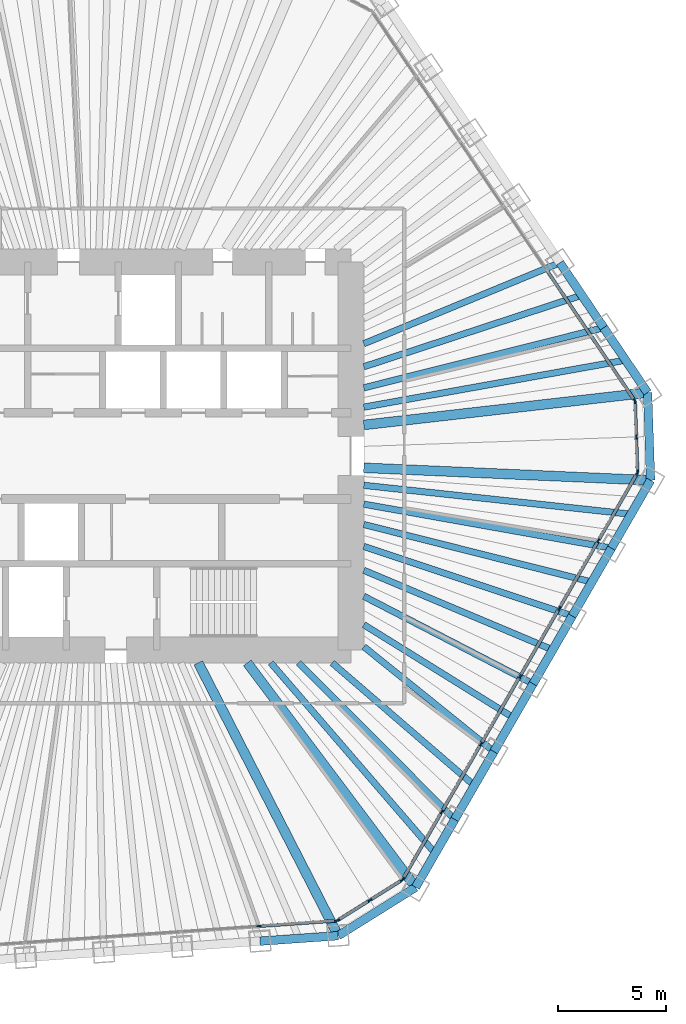
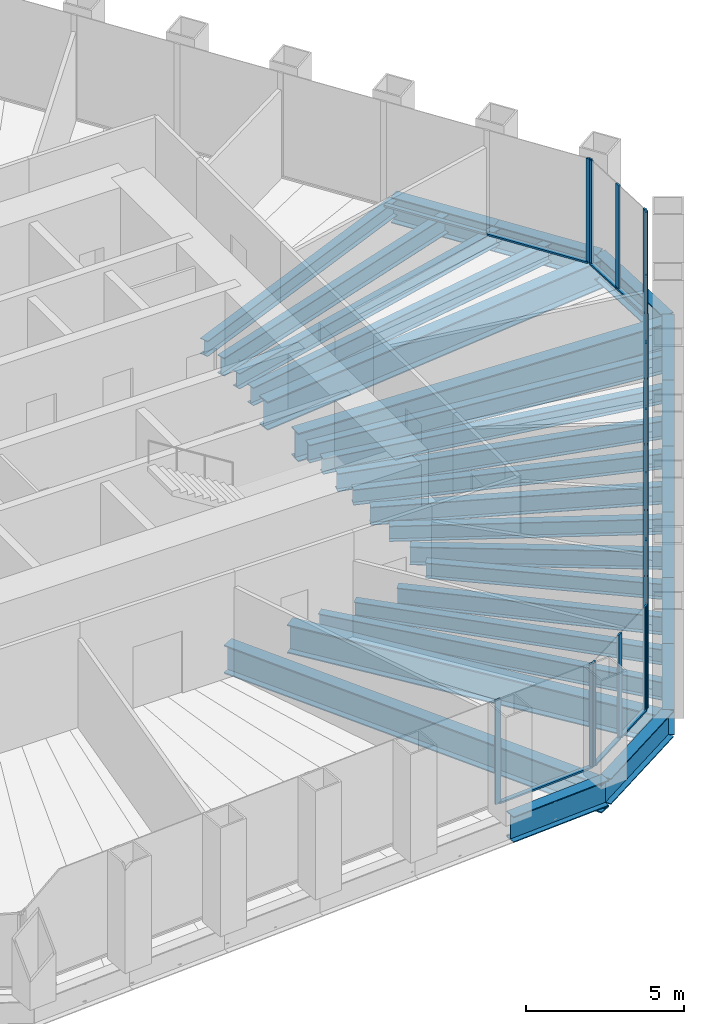
# One storey, part 4 of 14: 30 beams, 29 members, 5 elements without a shape of their own.
"""IFC4 building model written with IfcOpenShell, lengths in metres."""

import ifcopenshell
import ifcopenshell.guid

model = None  # the IFC model being written
_history = None  # IfcOwnerHistory: only IFC2X3 demands one
_inside = {}  # id of a spatial element -> (the spatial element, [elements in it])
_under = {}  # id of a project, library or spatial element -> (it, [spatial elements below it])
_declared = {}  # id of a project -> (the project, [libraries it declares])
_typed = {}  # id of a type object -> (the type object, [elements of that type])
_made_of = {}  # id of a material, layer set ... -> (it, [elements and type objects made of it])


def new_model(schema):
    """Start an empty IFC model of exactly this schema.

    Asked for "IFC4X3", IfcOpenShell would pick the latest addendum, in which some entities
    have other attributes; the version numbers below select the first issue.
    IFC2X3 requires an IfcOwnerHistory on every rooted entity: one is made here for all.
    """
    global model, _history
    if schema == "IFC4X3":
        model = ifcopenshell.file(schema_version=(4, 3, 0, 0))
    else:
        model = ifcopenshell.file(schema=schema)
    _inside.clear()
    _under.clear()
    _declared.clear()
    _typed.clear()
    _made_of.clear()
    _history = None
    if model.schema == "IFC2X3":
        org = make("IfcOrganization", Name="unknown")
        user = make(
            "IfcPersonAndOrganization",
            ThePerson=make("IfcPerson", FamilyName="unknown"),
            TheOrganization=org,
        )
        app = make(
            "IfcApplication",
            ApplicationDeveloper=org,
            Version="unknown",
            ApplicationFullName="unknown",
            ApplicationIdentifier="unknown",
        )
        _history = make(
            "IfcOwnerHistory",
            OwningUser=user,
            OwningApplication=app,
            ChangeAction="ADDED",
            CreationDate=0,
        )
    return model


def make(cls, **values):
    """One entity of the class cls with the attributes given. An attribute that is None is left unset."""
    return model.create_entity(
        cls, **{name: value for name, value in values.items() if value is not None}
    )


def rooted(cls, **values):
    """An entity with a GlobalId (a new one), such as an element, a storey or a relation."""
    return make(cls, GlobalId=ifcopenshell.guid.new(), OwnerHistory=_history, **values)


def si_unit(unit_type, name, prefix=None):
    """IfcSIUnit, for example si_unit("LENGTHUNIT", "METRE", prefix="MILLI")."""
    return make("IfcSIUnit", UnitType=unit_type, Prefix=prefix, Name=name)


def assignment(units):
    """IfcUnitAssignment: the units of a project."""
    return None if units is None else make("IfcUnitAssignment", Units=units)


def point(xyz):
    """IfcCartesianPoint."""
    return None if xyz is None else make("IfcCartesianPoint", Coordinates=xyz)


def direction(xyz):
    """IfcDirection."""
    return None if xyz is None else make("IfcDirection", DirectionRatios=xyz)


def frame(location, z_axis=None, x_axis=None):
    """IfcAxis2Placement3D, a coordinate frame: its origin and axes. An axis left out is left unset."""
    return make(
        "IfcAxis2Placement3D",
        Location=point(location),
        Axis=direction(z_axis),
        RefDirection=direction(x_axis),
    )


def frame_2d(location, x_axis=None):
    """IfcAxis2Placement2D, a coordinate frame in the plane: its origin and x axis."""
    return make(
        "IfcAxis2Placement2D", Location=point(location), RefDirection=direction(x_axis)
    )


def origin():
    """The frame at (0, 0, 0) with its axes left unset."""
    return frame((0.0, 0.0, 0.0))


def origin_2d():
    """The frame at (0, 0) in the plane with its x axis left unset."""
    return frame_2d((0.0, 0.0))


def place(relative_to, where):
    """IfcLocalPlacement: puts the frame where relative to a parent placement (None: the world)."""
    return make(
        "IfcLocalPlacement", PlacementRelTo=relative_to, RelativePlacement=where
    )


def context(
    kind, dimensions, precision=None, world=None, true_north=None, identifier=None
):
    """IfcGeometricRepresentationContext, for example the 3D "Model" context."""
    return make(
        "IfcGeometricRepresentationContext",
        ContextIdentifier=identifier,
        ContextType=kind,
        CoordinateSpaceDimension=dimensions,
        Precision=precision,
        WorldCoordinateSystem=world,
        TrueNorth=true_north,
    )


def subcontext(parent, identifier, kind, view, scale=None):
    """IfcGeometricRepresentationSubContext, for example "Body" below "Model"."""
    return make(
        "IfcGeometricRepresentationSubContext",
        ContextIdentifier=identifier,
        ContextType=kind,
        ParentContext=parent,
        TargetScale=scale,
        TargetView=view,
    )


def project(units=None, contexts=None):
    """IfcProject with its units and contexts."""
    return rooted(
        "IfcProject",
        Name="project",
        RepresentationContexts=contexts,
        UnitsInContext=assignment(units),
    )


def spatial(cls, under=None, at=None, **own):
    """A site, building, storey or space (cls), placed at a placement, below another one or the project."""
    s = rooted(cls, ObjectPlacement=at, **own)
    if under is not None:
        _under.setdefault(under.id(), (under, []))[1].append(s)
    return s


def profile(cls, at=None, kind="AREA", **sizes):
    """A parametric profile (cls). Its sizes go by their IFC names, for example OverallWidth=200.0."""
    return make(cls, ProfileType=kind, Position=at, **sizes)


def rectangle(**sizes):
    """IfcRectangleProfileDef."""
    return profile("IfcRectangleProfileDef", **sizes)


def i_section(**sizes):
    """IfcIShapeProfileDef."""
    return profile("IfcIShapeProfileDef", **sizes)


def extrude(swept, where, along, depth):
    """IfcExtrudedAreaSolid: the profile swept, set in the frame where, extruded along a direction by depth."""
    return make(
        "IfcExtrudedAreaSolid",
        SweptArea=swept,
        Position=where,
        ExtrudedDirection=direction(along),
        Depth=depth,
    )


def shape(context_of_items, identifier, shape_type, items):
    """IfcShapeRepresentation: the items that make up one representation, for example the "Body"."""
    return make(
        "IfcShapeRepresentation",
        ContextOfItems=context_of_items,
        RepresentationIdentifier=identifier,
        RepresentationType=shape_type,
        Items=items,
    )


def material(Name=None, Category=None):
    """IfcMaterial."""
    return make("IfcMaterial", Name=Name, Category=Category)


def material_profile(
    of_material, cross_section, Name=None, Category=None, Priority=None
):
    """IfcMaterialProfile: a cross section and its material."""
    return make(
        "IfcMaterialProfile",
        Name=Name,
        Material=of_material,
        Profile=cross_section,
        Priority=Priority,
        Category=Category,
    )


def profile_set(profiles, Name=None, composite=None):
    """IfcMaterialProfileSet."""
    return make(
        "IfcMaterialProfileSet",
        Name=Name,
        MaterialProfiles=profiles,
        CompositeProfile=composite,
    )


def made_of(thing, what):
    """Note that an element or type object is made of a material, layer set ...; save() writes the relation."""
    if what is not None:
        _made_of.setdefault(what.id(), (what, []))[1].append(thing)
    return thing


def type_object(cls, material=None, **own):
    """A type object (cls), such as IfcWallType, which elements share."""
    return made_of(rooted(cls, **own), material)


def element(
    cls,
    number,
    at=None,
    inside=None,
    cuts=None,
    type_object=None,
    material=None,
    context=None,
    identifier="Body",
    shape_type=None,
    held_by="IfcProductDefinitionShape",
    body=None,
    shapes=None,
    **own,
):
    """One element of the class cls, such as IfcWall. Its Tag is "e" and its number.

    at: its placement. inside: the storey or other place that contains it. cuts: it is an
    opening in that element (IfcRelVoidsElement). A single representation is given by context,
    identifier, shape_type and body (its items); several are given by shapes. held_by: the class
    of the entity that holds the representations. save() writes the other relations.
    """
    e = rooted(cls, Tag="e%d" % number, ObjectPlacement=at, **own)
    if body is not None:
        shapes = [shape(context, identifier, shape_type, body)]
    if shapes is not None:
        e.Representation = make(held_by, Representations=shapes)
    if inside is not None:
        _inside.setdefault(inside.id(), (inside, []))[1].append(e)
    if cuts is not None:
        rooted(
            "IfcRelVoidsElement", RelatingBuildingElement=cuts, RelatedOpeningElement=e
        )
    if type_object is not None:
        _typed.setdefault(type_object.id(), (type_object, []))[1].append(e)
    return made_of(e, material)


def aggregate(whole, parts):
    """IfcRelAggregates: a whole, such as a stair, and the parts it consists of."""
    return rooted("IfcRelAggregates", RelatingObject=whole, RelatedObjects=parts)


def save(model, path):
    """Write the relations noted so far, then the file.

    IfcRelAggregates (storeys below a building ...), IfcRelContainedInSpatialStructure (elements
    in a storey), IfcRelDefinesByType, IfcRelAssociatesMaterial and IfcRelDeclares: one each for
    every whole, place, type object, material and project.
    """
    for whole, parts in _under.values():
        aggregate(whole, parts)
    for where, things in _inside.values():
        rooted(
            "IfcRelContainedInSpatialStructure",
            RelatedElements=things,
            RelatingStructure=where,
        )
    for kind, things in _typed.values():
        rooted("IfcRelDefinesByType", RelatedObjects=things, RelatingType=kind)
    for what, things in _made_of.values():
        rooted("IfcRelAssociatesMaterial", RelatedObjects=things, RelatingMaterial=what)
    for by, libraries in _declared.values():
        rooted("IfcRelDeclares", RelatingContext=by, RelatedDefinitions=libraries)
    model.write(path)


model = new_model("IFC4")

# Units and contexts
model_context = context("Model", 3, precision=1e-05, world=origin(), true_north=direction((0.0, 1.0)))
body_context = subcontext(model_context, "Body", "Model", "MODEL_VIEW")
ifc_project = project(units=[si_unit("LENGTHUNIT", "METRE"), si_unit("AREAUNIT", "SQUARE_METRE"), si_unit("VOLUMEUNIT", "CUBIC_METRE"), si_unit("PLANEANGLEUNIT", "RADIAN"), si_unit("MASSUNIT", "GRAM", prefix="KILO")], contexts=[model_context])

# Site, building, storey
site_placement = place(None, origin())
site = spatial("IfcSite", under=ifc_project, at=site_placement, CompositionType="ELEMENT")
building_placement = place(site_placement, origin())
building = spatial("IfcBuilding", under=site, at=building_placement, Name="Qingtian Harvest Tower", CompositionType="ELEMENT")
storey_placement = place(building_placement, frame((0.0, 0.0, 243.39990234375)))
storey = spatial("IfcBuildingStorey", under=building, at=storey_placement, Name="L53", CompositionType="ELEMENT", Elevation=243.39990234375)

# Beams
ifc_material_1 = material(Name="Steel SM570MC", Category="steel")
ifc_material_profile_1 = material_profile(ifc_material_1, i_section(OverallWidth=0.449951171875, OverallDepth=1.10009765625, WebThickness=0.02197265625, FlangeThickness=0.044921875, at=origin_2d()), Name="H1100x450x22x45")
ifc_profile_set_1 = profile_set([ifc_material_profile_1], Name="Steel SM570MC")
beam_type_1 = type_object("IfcBeamType", Name="Corner floor beam FB8 H1100x450x22x45", PredefinedType="BEAM", material=ifc_profile_set_1)
beam_1_placement = place(storey_placement, frame((25.762451171875, 2.936279296875, -0.719970703125), z_axis=(-0.993566901619, -0.113246686522, 0.0), x_axis=(0.113246686522, -0.993566901619, 0.0)))
element("IfcBeam", 1, at=beam_1_placement, inside=storey, type_object=beam_type_1, Name="Floor beam FB8 NE6", PredefinedType="BEAM", context=body_context, shape_type="SweptSolid", body=[
    extrude(i_section(OverallWidth=0.449951171875, OverallDepth=1.10009765625, WebThickness=0.02197265625, FlangeThickness=0.044921875, at=origin_2d()), origin(), (0.0, 0.0, 1.0), 13.24755859375),
])
beam_2_placement = place(storey_placement, frame((25.904541015625, -1.1318359375, -0.719970703125), z_axis=(-0.999046865424, 0.043650437408, 0.0), x_axis=(-0.043650437408, -0.999046865424, 0.0)))
element("IfcBeam", 2, at=beam_2_placement, inside=storey, type_object=beam_type_1, Name="Floor beam FB8 SE0", PredefinedType="BEAM", context=body_context, shape_type="SweptSolid", body=[
    extrude(i_section(OverallWidth=0.449951171875, OverallDepth=1.10009765625, WebThickness=0.02197265625, FlangeThickness=0.044921875, at=origin_2d()), origin(), (0.0, 0.0, 1.0), 13.317138671875),
])
beam_3_placement = place(storey_placement, frame((15.00390625, -20.012451171875, -0.719970703125), z_axis=(-0.599858913609, 0.800105795357, 0.0), x_axis=(-0.800105795357, -0.599858913609, 0.0)))
element("IfcBeam", 3, at=beam_3_placement, inside=storey, type_object=beam_type_1, Name="Floor beam FB8 SE6", PredefinedType="BEAM", context=body_context, shape_type="SweptSolid", body=[
    extrude(i_section(OverallWidth=0.449951171875, OverallDepth=1.10009765625, WebThickness=0.02197265625, FlangeThickness=0.044921875, at=origin_2d()), origin(), (0.0, 0.0, 1.0), 13.013671875),
])
beam_4_placement = place(storey_placement, frame((11.40966796875, -22.25830078125, -0.719970703125), z_axis=(-0.456157396608, 0.889899111989, 0.0), x_axis=(-0.889899111989, -0.456157396608, 0.0)))
element("IfcBeam", 4, at=beam_4_placement, inside=storey, type_object=beam_type_1, Name="Floor beam FB8 S0", PredefinedType="BEAM", context=body_context, shape_type="SweptSolid", body=[
    extrude(i_section(OverallWidth=0.449951171875, OverallDepth=1.10009765625, WebThickness=0.02197265625, FlangeThickness=0.044921875, at=origin_2d()), origin(), (0.0, 0.0, 1.0), 14.224365234375),
])
ifc_material_2 = material(Name="Steel SN490B", Category="steel")
ifc_material_profile_2 = material_profile(ifc_material_2, i_section(OverallWidth=0.300048828125, OverallDepth=0.60009765625, WebThickness=0.011962890625, FlangeThickness=0.02001953125, at=origin_2d()), Name="H600x300x12x20")
ifc_profile_set_2 = profile_set([ifc_material_profile_2], Name="Steel SN490B")
beam_type_2 = type_object("IfcBeamType", Name="Floor beam FB3 H600x300x12x20", PredefinedType="BEAM", material=ifc_profile_set_2)
beam_5_placement = place(storey_placement, frame((21.69873046875, 8.9609375, -0.469970703125), z_axis=(-0.924281590361, -0.381711332973, 0.0), x_axis=(0.381711332973, -0.924281590361, 0.0)))
element("IfcBeam", 5, at=beam_5_placement, inside=storey, type_object=beam_type_2, Name="Floor beam FB3 NE4", PredefinedType="BEAM", context=body_context, shape_type="SweptSolid", body=[
    extrude(i_section(OverallWidth=0.300048828125, OverallDepth=0.60009765625, WebThickness=0.011962890625, FlangeThickness=0.02001953125, at=origin_2d()), origin(), (0.0, 0.0, 1.0), 9.843994140625),
])
beam_6_placement = place(storey_placement, frame((23.730712890625, 5.948486328125, -0.469970703125), z_axis=(-0.969990876487, -0.243141315972, 0.0), x_axis=(0.243141315972, -0.969990876487, 0.0)))
element("IfcBeam", 6, at=beam_6_placement, inside=storey, type_object=beam_type_2, Name="Floor beam FB3 NE5", PredefinedType="BEAM", context=body_context, shape_type="SweptSolid", body=[
    extrude(i_section(OverallWidth=0.300048828125, OverallDepth=0.60009765625, WebThickness=0.011962890625, FlangeThickness=0.02001953125, at=origin_2d()), origin(), (0.0, 0.0, 1.0), 11.474853515625),
])
beam_7_placement = place(storey_placement, frame((24.087890625, -4.27880859375, -0.469970703125), z_axis=(-0.98458469654, 0.174908477034, 0.0), x_axis=(-0.174908477034, -0.98458469654, 0.0)))
element("IfcBeam", 7, at=beam_7_placement, inside=storey, type_object=beam_type_2, Name="Floor beam FB3 SE1", PredefinedType="BEAM", context=body_context, shape_type="SweptSolid", body=[
    extrude(i_section(OverallWidth=0.300048828125, OverallDepth=0.60009765625, WebThickness=0.011962890625, FlangeThickness=0.02001953125, at=origin_2d()), origin(), (0.0, 0.0, 1.0), 11.667724609375),
])
beam_8_placement = place(storey_placement, frame((22.27099609375, -7.425537109375, -0.469970703125), z_axis=(-0.948654555734, 0.316313979908, 0.0), x_axis=(-0.316313979908, -0.948654555734, 0.0)))
element("IfcBeam", 8, at=beam_8_placement, inside=storey, type_object=beam_type_2, Name="Floor beam FB3 SE2", PredefinedType="BEAM", context=body_context, shape_type="SweptSolid", body=[
    extrude(i_section(OverallWidth=0.300048828125, OverallDepth=0.60009765625, WebThickness=0.011962890625, FlangeThickness=0.02001953125, at=origin_2d()), origin(), (0.0, 0.0, 1.0), 10.1943359375),
])
beam_9_placement = place(storey_placement, frame((20.454345703125, -10.572265625, -0.469970703125), z_axis=(-0.888343501027, 0.459179511938, 0.0), x_axis=(-0.459179511938, -0.888343501027, 0.0)))
element("IfcBeam", 9, at=beam_9_placement, inside=storey, type_object=beam_type_2, Name="Floor beam FB3 SE3", PredefinedType="BEAM", context=body_context, shape_type="SweptSolid", body=[
    extrude(i_section(OverallWidth=0.300048828125, OverallDepth=0.60009765625, WebThickness=0.011962890625, FlangeThickness=0.02001953125, at=origin_2d()), origin(), (0.0, 0.0, 1.0), 8.841552734375),
])
beam_10_placement = place(storey_placement, frame((18.637451171875, -13.718994140625, -0.469970703125), z_axis=(-0.77840907003, 0.62775737327, 0.0), x_axis=(-0.62775737327, -0.77840907003, 0.0)))
element("IfcBeam", 10, at=beam_10_placement, inside=storey, type_object=beam_type_2, Name="Floor beam FB3 SE4", PredefinedType="BEAM", context=body_context, shape_type="SweptSolid", body=[
    extrude(i_section(OverallWidth=0.300048828125, OverallDepth=0.60009765625, WebThickness=0.011962890625, FlangeThickness=0.02001953125, at=origin_2d()), origin(), (0.0, 0.0, 1.0), 7.756103515625),
])
beam_11_placement = place(storey_placement, frame((16.82080078125, -16.86572265625, -0.469970703125), z_axis=(-0.70616637797, 0.708045935392, 0.0), x_axis=(-0.708045935392, -0.70616637797, 0.0)))
element("IfcBeam", 11, at=beam_11_placement, inside=storey, type_object=beam_type_2, Name="Floor beam FB3 SE5", PredefinedType="BEAM", context=body_context, shape_type="SweptSolid", body=[
    extrude(i_section(OverallWidth=0.300048828125, OverallDepth=0.60009765625, WebThickness=0.011962890625, FlangeThickness=0.02001953125, at=origin_2d()), origin(), (0.0, 0.0, 1.0), 10.261474609375),
])
ifc_material_3 = material(Name="Steel SN490B", Category="steel")
ifc_material_profile_3 = material_profile(ifc_material_3, i_section(OverallWidth=0.300048828125, OverallDepth=0.699951171875, WebThickness=0.012939453125, FlangeThickness=0.02392578125, at=origin_2d()), Name="H700x300x13x24")
ifc_profile_set_3 = profile_set([ifc_material_profile_3], Name="Steel SN490B")
beam_type_3 = type_object("IfcBeamType", Name="Floor joist J2 H700x300x13x24", PredefinedType="JOIST", material=ifc_profile_set_3)
beam_12_placement = place(storey_placement, frame((22.71484375, 7.454833984375, -0.52001953125), z_axis=(-0.950138567513, -0.311828001508, 0.0), x_axis=(0.311828001508, -0.950138567513, 0.0)))
element("IfcBeam", 12, at=beam_12_placement, inside=storey, type_object=beam_type_3, Name="Floor joist J2 NE4", PredefinedType="JOIST", context=body_context, shape_type="SweptSolid", body=[
    extrude(i_section(OverallWidth=0.300048828125, OverallDepth=0.699951171875, WebThickness=0.012939453125, FlangeThickness=0.02392578125, at=origin_2d()), origin(), (0.0, 0.0, 1.0), 10.6455078125),
])
beam_13_placement = place(storey_placement, frame((24.74658203125, 4.4423828125, -0.52001953125), z_axis=(-0.98426723745, -0.176686177393, 0.0), x_axis=(0.176686177393, -0.98426723745, 0.0)))
element("IfcBeam", 13, at=beam_13_placement, inside=storey, type_object=beam_type_3, Name="Floor joist J2 NE5", PredefinedType="JOIST", context=body_context, shape_type="SweptSolid", body=[
    extrude(i_section(OverallWidth=0.300048828125, OverallDepth=0.699951171875, WebThickness=0.012939453125, FlangeThickness=0.02392578125, at=origin_2d()), origin(), (0.0, 0.0, 1.0), 12.340576171875),
])
beam_14_placement = place(storey_placement, frame((24.99609375, -2.705322265625, -0.52001953125), z_axis=(-0.994194656298, 0.107596400448, 0.0), x_axis=(-0.107596400448, -0.994194656298, 0.0)))
element("IfcBeam", 14, at=beam_14_placement, inside=storey, type_object=beam_type_3, Name="Floor joist J2 SE0", PredefinedType="JOIST", context=body_context, shape_type="SweptSolid", body=[
    extrude(i_section(OverallWidth=0.300048828125, OverallDepth=0.699951171875, WebThickness=0.012939453125, FlangeThickness=0.02392578125, at=origin_2d()), origin(), (0.0, 0.0, 1.0), 12.46826171875),
])
beam_15_placement = place(storey_placement, frame((23.179443359375, -5.85205078125, -0.52001953125), z_axis=(-0.969577887027, 0.244783007963, 0.0), x_axis=(-0.244783007963, -0.969577887027, 0.0)))
element("IfcBeam", 15, at=beam_15_placement, inside=storey, type_object=beam_type_3, Name="Floor joist J2 SE1", PredefinedType="JOIST", context=body_context, shape_type="SweptSolid", body=[
    extrude(i_section(OverallWidth=0.300048828125, OverallDepth=0.699951171875, WebThickness=0.012939453125, FlangeThickness=0.02392578125, at=origin_2d()), origin(), (0.0, 0.0, 1.0), 10.911376953125),
])
beam_16_placement = place(storey_placement, frame((21.362548828125, -8.998779296875, -0.52001953125), z_axis=(-0.921571079516, 0.388209666803, 0.0), x_axis=(-0.388209666803, -0.921571079516, 0.0)))
element("IfcBeam", 16, at=beam_16_placement, inside=storey, type_object=beam_type_3, Name="Floor joist J2 SE2", PredefinedType="JOIST", context=body_context, shape_type="SweptSolid", body=[
    extrude(i_section(OverallWidth=0.300048828125, OverallDepth=0.699951171875, WebThickness=0.012939453125, FlangeThickness=0.02392578125, at=origin_2d()), origin(), (0.0, 0.0, 1.0), 9.508056640625),
])
beam_17_placement = place(storey_placement, frame((19.5458984375, -12.1455078125, -0.52001953125), z_axis=(-0.849380822906, 0.527780463526, 0.0), x_axis=(-0.527780463526, -0.849380822906, 0.0)))
element("IfcBeam", 17, at=beam_17_placement, inside=storey, type_object=beam_type_3, Name="Floor joist J2 SE3", PredefinedType="JOIST", context=body_context, shape_type="SweptSolid", body=[
    extrude(i_section(OverallWidth=0.300048828125, OverallDepth=0.699951171875, WebThickness=0.012939453125, FlangeThickness=0.02392578125, at=origin_2d()), origin(), (0.0, 0.0, 1.0), 8.177490234375),
])
beam_18_placement = place(storey_placement, frame((17.72900390625, -15.292236328125, -0.52001953125), z_axis=(-0.757237954988, 0.653139096613, 0.0), x_axis=(-0.653139096613, -0.757237954988, 0.0)))
element("IfcBeam", 18, at=beam_18_placement, inside=storey, type_object=beam_type_3, Name="Floor joist J2 SE4", PredefinedType="JOIST", context=body_context, shape_type="SweptSolid", body=[
    extrude(i_section(OverallWidth=0.300048828125, OverallDepth=0.699951171875, WebThickness=0.012939453125, FlangeThickness=0.02392578125, at=origin_2d()), origin(), (0.0, 0.0, 1.0), 8.715087890625),
])
beam_19_placement = place(storey_placement, frame((15.912353515625, -18.43896484375, -0.52001953125), z_axis=(-0.653343257086, 0.757061812813, 0.0), x_axis=(-0.757061812813, -0.653343257086, 0.0)))
element("IfcBeam", 19, at=beam_19_placement, inside=storey, type_object=beam_type_3, Name="Floor joist J2 SE5", PredefinedType="JOIST", context=body_context, shape_type="SweptSolid", body=[
    extrude(i_section(OverallWidth=0.300048828125, OverallDepth=0.699951171875, WebThickness=0.012939453125, FlangeThickness=0.02392578125, at=origin_2d()), origin(), (0.0, 0.0, 1.0), 11.67529296875),
])

# Curtain wall, member
ifc_material_4 = material(Name="Bronze-anodised aluminium curtain wall", Category="aluminium")
curtain_wall_type = type_object("IfcCurtainWallType", Name="Curtain wall CW4 office", PredefinedType="USERDEFINED", material=ifc_material_4)
curtain_wall_1_placement = place(storey_placement, origin())
curtain_wall_1 = element("IfcCurtainWall", 20, at=curtain_wall_1_placement, inside=storey, type_object=curtain_wall_type, Name="Curtain wall CW4 L53 NE0-5", ObjectType="RECESSED CURTAIN WALL", PredefinedType="USERDEFINED")
ifc_material_5 = material(Name="Bronze-anodised aluminium mullion", Category="aluminium")
ifc_material_profile_4 = material_profile(ifc_material_5, rectangle(XDim=0.06494140625, YDim=0.199951171875, at=origin_2d()), Name="AL 65x200")
ifc_profile_set_4 = profile_set([ifc_material_profile_4], Name="Bronze-anodised aluminium mullion")
member_type_1 = type_object("IfcMemberType", Name="Mullion CWM 65x200", PredefinedType="MULLION", material=ifc_profile_set_4)
member_1_placement = place(storey_placement, frame((25.1640625, 2.57177734375, 0.0), z_axis=(0.0, 0.0, 1.0), x_axis=(0.829037572555, 0.559192903471, 0.0)))
member_1 = element("IfcMember", 21, at=member_1_placement, type_object=member_type_1, Name="CW4 mullion 7", PredefinedType="MULLION", context=body_context, shape_type="SweptSolid", body=[
    extrude(rectangle(XDim=0.06494140625, YDim=0.199951171875, at=origin_2d()), origin(), (0.0, 0.0, 1.0), 4.030029296875),
])

# Curtain wall, members
curtain_wall_2_placement = place(storey_placement, origin())
curtain_wall_2 = element("IfcCurtainWall", 22, at=curtain_wall_2_placement, inside=storey, type_object=curtain_wall_type, Name="Curtain wall CW4 L53 NEC", ObjectType="RECESSED CURTAIN WALL", PredefinedType="USERDEFINED")
member_2_placement = place(storey_placement, frame((25.183349609375, 2.51220703125, 0.0), z_axis=(0.0, 0.0, 1.0), x_axis=(0.999390827019, 0.034899496703, 0.0)))
member_2 = element("IfcMember", 23, at=member_2_placement, type_object=member_type_1, Name="CW4 mullion 1", PredefinedType="MULLION", context=body_context, shape_type="SweptSolid", body=[
    extrude(rectangle(XDim=0.06494140625, YDim=0.199951171875, at=origin_2d()), origin(), (0.0, 0.0, 1.0), 4.030029296875),
])
member_3_placement = place(storey_placement, frame((25.240234375, 0.88134765625, 0.0), z_axis=(0.0, 0.0, 1.0), x_axis=(0.999390827019, 0.034899496703, 0.0)))
member_3 = element("IfcMember", 24, at=member_3_placement, type_object=member_type_1, Name="CW4 mullion 2", PredefinedType="MULLION", context=body_context, shape_type="SweptSolid", body=[
    extrude(rectangle(XDim=0.06494140625, YDim=0.199951171875, at=origin_2d()), origin(), (0.0, 0.0, 1.0), 4.030029296875),
])
member_4_placement = place(storey_placement, frame((25.297119140625, -0.74951171875, 0.0), z_axis=(0.0, 0.0, 1.0), x_axis=(0.999390827019, 0.034899496703, 0.0)))
member_4 = element("IfcMember", 25, at=member_4_placement, type_object=member_type_1, Name="CW4 mullion 3", PredefinedType="MULLION", context=body_context, shape_type="SweptSolid", body=[
    extrude(rectangle(XDim=0.06494140625, YDim=0.199951171875, at=origin_2d()), origin(), (0.0, 0.0, 1.0), 4.030029296875),
])

curtain_wall_3_placement = place(storey_placement, origin())
curtain_wall_3 = element("IfcCurtainWall", 26, at=curtain_wall_3_placement, inside=storey, type_object=curtain_wall_type, Name="Curtain wall CW4 L53 SE0-5", ObjectType="RECESSED CURTAIN WALL", PredefinedType="USERDEFINED")
member_5_placement = place(storey_placement, frame((25.2822265625, -0.81005859375, 0.0), z_axis=(0.0, 0.0, 1.0), x_axis=(0.866025403784, -0.5, 0.0)))
member_5 = element("IfcMember", 27, at=member_5_placement, type_object=member_type_1, Name="CW4 mullion 1", PredefinedType="MULLION", context=body_context, shape_type="SweptSolid", body=[
    extrude(rectangle(XDim=0.06494140625, YDim=0.199951171875, at=origin_2d()), origin(), (0.0, 0.0, 1.0), 4.030029296875),
])
member_6_placement = place(storey_placement, frame((23.481689453125, -3.9287109375, 0.0), z_axis=(0.0, 0.0, 1.0), x_axis=(0.866025403784, -0.5, 0.0)))
member_6 = element("IfcMember", 28, at=member_6_placement, type_object=member_type_1, Name="CW4 mullion 2", PredefinedType="MULLION", context=body_context, shape_type="SweptSolid", body=[
    extrude(rectangle(XDim=0.06494140625, YDim=0.199951171875, at=origin_2d()), origin(), (0.0, 0.0, 1.0), 4.030029296875),
])
member_7_placement = place(storey_placement, frame((21.664794921875, -7.075439453125, 0.0), z_axis=(0.0, 0.0, 1.0), x_axis=(0.866025403784, -0.5, 0.0)))
member_7 = element("IfcMember", 29, at=member_7_placement, type_object=member_type_1, Name="CW4 mullion 3", PredefinedType="MULLION", context=body_context, shape_type="SweptSolid", body=[
    extrude(rectangle(XDim=0.06494140625, YDim=0.199951171875, at=origin_2d()), origin(), (0.0, 0.0, 1.0), 4.030029296875),
])
member_8_placement = place(storey_placement, frame((19.84814453125, -10.22216796875, 0.0), z_axis=(0.0, 0.0, 1.0), x_axis=(0.866025403784, -0.5, 0.0)))
member_8 = element("IfcMember", 30, at=member_8_placement, type_object=member_type_1, Name="CW4 mullion 4", PredefinedType="MULLION", context=body_context, shape_type="SweptSolid", body=[
    extrude(rectangle(XDim=0.06494140625, YDim=0.199951171875, at=origin_2d()), origin(), (0.0, 0.0, 1.0), 4.030029296875),
])
member_9_placement = place(storey_placement, frame((18.03125, -13.368896484375, 0.0), z_axis=(0.0, 0.0, 1.0), x_axis=(0.866025403784, -0.5, 0.0)))
member_9 = element("IfcMember", 31, at=member_9_placement, type_object=member_type_1, Name="CW4 mullion 5", PredefinedType="MULLION", context=body_context, shape_type="SweptSolid", body=[
    extrude(rectangle(XDim=0.06494140625, YDim=0.199951171875, at=origin_2d()), origin(), (0.0, 0.0, 1.0), 4.030029296875),
])
member_10_placement = place(storey_placement, frame((16.214599609375, -16.515625, 0.0), z_axis=(0.0, 0.0, 1.0), x_axis=(0.866025403784, -0.5, 0.0)))
member_10 = element("IfcMember", 32, at=member_10_placement, type_object=member_type_1, Name="CW4 mullion 6", PredefinedType="MULLION", context=body_context, shape_type="SweptSolid", body=[
    extrude(rectangle(XDim=0.06494140625, YDim=0.199951171875, at=origin_2d()), origin(), (0.0, 0.0, 1.0), 4.030029296875),
])
member_11_placement = place(storey_placement, frame((14.4140625, -19.63427734375, 0.0), z_axis=(0.0, 0.0, 1.0), x_axis=(0.866025403784, -0.5, 0.0)))
member_11 = element("IfcMember", 33, at=member_11_placement, type_object=member_type_1, Name="CW4 mullion 7", PredefinedType="MULLION", context=body_context, shape_type="SweptSolid", body=[
    extrude(rectangle(XDim=0.06494140625, YDim=0.199951171875, at=origin_2d()), origin(), (0.0, 0.0, 1.0), 4.030029296875),
])

curtain_wall_4_placement = place(storey_placement, origin())
curtain_wall_4 = element("IfcCurtainWall", 34, at=curtain_wall_4_placement, inside=storey, type_object=curtain_wall_type, Name="Curtain wall CW4 L53 SEC", ObjectType="RECESSED CURTAIN WALL", PredefinedType="USERDEFINED")
member_12_placement = place(storey_placement, frame((14.3701171875, -19.6796875, 0.0), z_axis=(0.0, 0.0, 1.0), x_axis=(0.529919264233, -0.848048096156, 0.0)))
member_12 = element("IfcMember", 35, at=member_12_placement, type_object=member_type_1, Name="CW4 mullion 1", PredefinedType="MULLION", context=body_context, shape_type="SweptSolid", body=[
    extrude(rectangle(XDim=0.06494140625, YDim=0.199951171875, at=origin_2d()), origin(), (0.0, 0.0, 1.0), 4.030029296875),
])
member_13_placement = place(storey_placement, frame((12.87939453125, -20.611328125, 0.0), z_axis=(0.0, 0.0, 1.0), x_axis=(0.529919264233, -0.848048096156, 0.0)))
member_13 = element("IfcMember", 36, at=member_13_placement, type_object=member_type_1, Name="CW4 mullion 2", PredefinedType="MULLION", context=body_context, shape_type="SweptSolid", body=[
    extrude(rectangle(XDim=0.06494140625, YDim=0.199951171875, at=origin_2d()), origin(), (0.0, 0.0, 1.0), 4.030029296875),
])
member_14_placement = place(storey_placement, frame((11.388427734375, -21.542724609375, 0.0), z_axis=(0.0, 0.0, 1.0), x_axis=(0.529919264233, -0.848048096156, 0.0)))
member_14 = element("IfcMember", 37, at=member_14_placement, type_object=member_type_1, Name="CW4 mullion 3", PredefinedType="MULLION", context=body_context, shape_type="SweptSolid", body=[
    extrude(rectangle(XDim=0.06494140625, YDim=0.199951171875, at=origin_2d()), origin(), (0.0, 0.0, 1.0), 4.030029296875),
])

curtain_wall_5_placement = place(storey_placement, origin())
curtain_wall_5 = element("IfcCurtainWall", 38, at=curtain_wall_5_placement, inside=storey, type_object=curtain_wall_type, Name="Curtain wall CW4 L53 S0-5", ObjectType="RECESSED CURTAIN WALL", PredefinedType="USERDEFINED")
member_15_placement = place(storey_placement, frame((11.32861328125, -21.562255859375, 0.0), z_axis=(0.0, 0.0, 1.0), x_axis=(0.069756473744, -0.99756405026, 0.0)))
member_15 = element("IfcMember", 39, at=member_15_placement, type_object=member_type_1, Name="CW4 mullion 1", PredefinedType="MULLION", context=body_context, shape_type="SweptSolid", body=[
    extrude(rectangle(XDim=0.06494140625, YDim=0.199951171875, at=origin_2d()), origin(), (0.0, 0.0, 1.0), 4.030029296875),
])
member_16_placement = place(storey_placement, frame((7.736328125, -21.8134765625, 0.0), z_axis=(0.0, 0.0, 1.0), x_axis=(0.069756473744, -0.99756405026, 0.0)))
member_16 = element("IfcMember", 40, at=member_16_placement, type_object=member_type_1, Name="CW4 mullion 2", PredefinedType="MULLION", context=body_context, shape_type="SweptSolid", body=[
    extrude(rectangle(XDim=0.06494140625, YDim=0.199951171875, at=origin_2d()), origin(), (0.0, 0.0, 1.0), 4.030029296875),
])

# Beams
ifc_material_6 = material(Name="Steel SN490B", Category="steel")
ifc_material_profile_5 = material_profile(ifc_material_6, i_section(OverallWidth=0.39990234375, OverallDepth=1.0, WebThickness=0.01904296875, FlangeThickness=0.035888671875, at=origin_2d()), Name="H1000x400x19x36")
ifc_profile_set_5 = profile_set([ifc_material_profile_5], Name="Steel SN490B")
beam_type_4 = type_object("IfcBeamType", Name="Spandrel beam SB3 H1000x400x19x36", PredefinedType="SPANDREL", material=ifc_profile_set_5)
beam_20_placement = place(storey_placement, frame((21.69873046875, 8.9609375, -0.5), z_axis=(0.55920395902, -0.829030115385, 0.0), x_axis=(0.829030115385, 0.55920395902, 0.0)))
element("IfcBeam", 41, at=beam_20_placement, inside=storey, type_object=beam_type_4, Name="Spandrel SB3 NE4", PredefinedType="SPANDREL", context=body_context, shape_type="SweptSolid", body=[
    extrude(i_section(OverallWidth=0.39990234375, OverallDepth=1.0, WebThickness=0.01904296875, FlangeThickness=0.035888671875, at=origin_2d()), origin(), (0.0, 0.0, 1.0), 3.6337890625),
])
beam_21_placement = place(storey_placement, frame((23.730712890625, 5.948486328125, -0.5), z_axis=(0.559188928021, -0.829040254016, 0.0), x_axis=(0.829040254016, 0.559188928021, 0.0)))
element("IfcBeam", 42, at=beam_21_placement, inside=storey, type_object=beam_type_4, Name="Spandrel SB3 NE5", PredefinedType="SPANDREL", context=body_context, shape_type="SweptSolid", body=[
    extrude(i_section(OverallWidth=0.39990234375, OverallDepth=1.0, WebThickness=0.01904296875, FlangeThickness=0.035888671875, at=origin_2d()), origin(), (0.0, 0.0, 1.0), 3.63330078125),
])
beam_22_placement = place(storey_placement, frame((25.762451171875, 2.936279296875, -0.5), z_axis=(0.03490639867, -0.999390585973, 0.0), x_axis=(0.999390585973, 0.03490639867, 0.0)))
element("IfcBeam", 43, at=beam_22_placement, inside=storey, type_object=beam_type_4, Name="Spandrel SB3 NEC", PredefinedType="SPANDREL", context=body_context, shape_type="SweptSolid", body=[
    extrude(i_section(OverallWidth=0.39990234375, OverallDepth=1.0, WebThickness=0.01904296875, FlangeThickness=0.035888671875, at=origin_2d()), origin(), (0.0, 0.0, 1.0), 4.070556640625),
])
beam_23_placement = place(storey_placement, frame((25.904541015625, -1.1318359375, -0.5), z_axis=(-0.499947341849, -0.866055803848, 0.0), x_axis=(0.866055803848, -0.499947341849, 0.0)))
element("IfcBeam", 44, at=beam_23_placement, inside=storey, type_object=beam_type_4, Name="Spandrel SB3 SE0", PredefinedType="SPANDREL", context=body_context, shape_type="SweptSolid", body=[
    extrude(i_section(OverallWidth=0.39990234375, OverallDepth=1.0, WebThickness=0.01904296875, FlangeThickness=0.035888671875, at=origin_2d()), origin(), (0.0, 0.0, 1.0), 3.6337890625),
])
for number, where, z_axis, x_axis, name in (
    (45, (24.087890625, -4.27880859375, -0.5), (-0.500026827678, -0.866009914263, 0.0), (0.866009914263, -0.500026827678, 0.0), "Spandrel SB3 SE1"),
    (46, (22.27099609375, -7.425537109375, -0.5), (-0.499976434558, -0.866039008871, 0.0), (0.866039008871, -0.499976434558, 0.0), "Spandrel SB3 SE2"),
    (47, (20.454345703125, -10.572265625, -0.5), (-0.500026827678, -0.866009914263, 0.0), (0.866009914263, -0.500026827678, 0.0), "Spandrel SB3 SE3"),
    (48, (18.637451171875, -13.718994140625, -0.5), (-0.499976434558, -0.866039008871, 0.0), (0.866039008871, -0.499976434558, 0.0), "Spandrel SB3 SE4"),
    (49, (16.82080078125, -16.86572265625, -0.5), (-0.500026827678, -0.866009914263, 0.0), (0.866009914263, -0.500026827678, 0.0), "Spandrel SB3 SE5"),
):
    element("IfcBeam", number, at=place(storey_placement, frame(where, z_axis=z_axis, x_axis=x_axis)), inside=storey, type_object=beam_type_4, Name=name, PredefinedType="SPANDREL", context=body_context, shape_type="SweptSolid", body=[
        extrude(i_section(OverallWidth=0.39990234375, OverallDepth=1.0, WebThickness=0.01904296875, FlangeThickness=0.035888671875, at=origin_2d()), origin(), (0.0, 0.0, 1.0), 3.633544921875),
    ])
beam_24_placement = place(storey_placement, frame((15.00390625, -20.012451171875, -0.5), z_axis=(-0.848056550838, -0.529905733675, 0.0), x_axis=(0.529905733675, -0.848056550838, 0.0)))
element("IfcBeam", 50, at=beam_24_placement, inside=storey, type_object=beam_type_4, Name="Spandrel SB3 SEC", PredefinedType="SPANDREL", context=body_context, shape_type="SweptSolid", body=[
    extrude(i_section(OverallWidth=0.39990234375, OverallDepth=1.0, WebThickness=0.01904296875, FlangeThickness=0.035888671875, at=origin_2d()), origin(), (0.0, 0.0, 1.0), 4.23828125),
])
beam_25_placement = place(storey_placement, frame((11.40966796875, -22.25830078125, -0.5), z_axis=(-0.997564674207, -0.069747550305, 0.0), x_axis=(0.069747550305, -0.997564674207, 0.0)))
element("IfcBeam", 51, at=beam_25_placement, inside=storey, type_object=beam_type_4, Name="Spandrel SB3 S0", PredefinedType="SPANDREL", context=body_context, shape_type="SweptSolid", body=[
    extrude(i_section(OverallWidth=0.39990234375, OverallDepth=1.0, WebThickness=0.01904296875, FlangeThickness=0.035888671875, at=origin_2d()), origin(), (0.0, 0.0, 1.0), 3.63330078125),
])

# Member
ifc_material_7 = material(Name="Bronze-anodised aluminium transom", Category="aluminium")
ifc_material_profile_6 = material_profile(ifc_material_7, rectangle(XDim=0.14990234375, YDim=0.06494140625, at=origin_2d()), Name="AL 65x150")
ifc_profile_set_6 = profile_set([ifc_material_profile_6], Name="Bronze-anodised aluminium transom")
member_type_2 = type_object("IfcMemberType", Name="Transom CWT 65x150", PredefinedType="USERDEFINED", material=ifc_profile_set_6)
member_17_placement = place(storey_placement, frame((21.13671875, 8.54248046875, 0.03271484375), z_axis=(0.559160259871, -0.829059590006, 0.0), x_axis=(0.829059590006, 0.559160259871, 0.0)))
member_17 = element("IfcMember", 52, at=member_17_placement, type_object=member_type_2, Name="CW4 transom 5.1", ObjectType="TRANSOM", PredefinedType="USERDEFINED", context=body_context, shape_type="SweptSolid", body=[
    extrude(rectangle(XDim=0.14990234375, YDim=0.06494140625, at=origin_2d()), origin(), (0.0, 0.0, 1.0), 3.568603515625),
])

member_18_placement = place(storey_placement, frame((23.16845703125, 5.5302734375, 0.03271484375), z_axis=(0.559169259008, -0.829053520456, 0.0), x_axis=(0.829053520456, 0.559169259008, 0.0)))
member_18 = element("IfcMember", 53, at=member_18_placement, type_object=member_type_2, Name="CW4 transom 6.1", ObjectType="TRANSOM", PredefinedType="USERDEFINED", context=body_context, shape_type="SweptSolid", body=[
    extrude(rectangle(XDim=0.14990234375, YDim=0.06494140625, at=origin_2d()), origin(), (0.0, 0.0, 1.0), 3.5361328125),
])

aggregate(curtain_wall_1, [member_1, member_17, member_18])

member_19_placement = place(storey_placement, frame((25.1845703125, 2.479736328125, 0.03271484375), z_axis=(0.034902326647, -0.999390728191, 0.0), x_axis=(0.999390728191, 0.034902326647, 0.0)))
member_19 = element("IfcMember", 54, at=member_19_placement, type_object=member_type_2, Name="CW4 transom 1.1", ObjectType="TRANSOM", PredefinedType="USERDEFINED", context=body_context, shape_type="SweptSolid", body=[
    extrude(rectangle(XDim=0.14990234375, YDim=0.06494140625, at=origin_2d()), origin(), (0.0, 0.0, 1.0), 1.56689453125),
])

member_20_placement = place(storey_placement, frame((25.241455078125, 0.848876953125, 0.03271484375), z_axis=(0.034902326647, -0.999390728191, 0.0), x_axis=(0.999390728191, 0.034902326647, 0.0)))
member_20 = element("IfcMember", 55, at=member_20_placement, type_object=member_type_2, Name="CW4 transom 2.1", ObjectType="TRANSOM", PredefinedType="USERDEFINED", context=body_context, shape_type="SweptSolid", body=[
    extrude(rectangle(XDim=0.14990234375, YDim=0.06494140625, at=origin_2d()), origin(), (0.0, 0.0, 1.0), 1.56689453125),
])

aggregate(curtain_wall_2, [member_2, member_3, member_4, member_19, member_20])

member_21_placement = place(storey_placement, frame((25.265869140625, -0.838134765625, 0.03271484375), z_axis=(-0.499985409597, -0.866033827394, 0.0), x_axis=(0.866033827394, -0.499985409597, 0.0)))
member_21 = element("IfcMember", 56, at=member_21_placement, type_object=member_type_2, Name="CW4 transom 1.1", ObjectType="TRANSOM", PredefinedType="USERDEFINED", context=body_context, shape_type="SweptSolid", body=[
    extrude(rectangle(XDim=0.14990234375, YDim=0.06494140625, at=origin_2d()), origin(), (0.0, 0.0, 1.0), 3.5361328125),
])

member_22_placement = place(storey_placement, frame((23.46533203125, -3.956787109375, 0.03271484375), z_axis=(-0.499965259726, -0.866045460162, 0.0), x_axis=(0.866045460162, -0.499965259726, 0.0)))
member_22 = element("IfcMember", 57, at=member_22_placement, type_object=member_type_2, Name="CW4 transom 2.1", ObjectType="TRANSOM", PredefinedType="USERDEFINED", context=body_context, shape_type="SweptSolid", body=[
    extrude(rectangle(XDim=0.14990234375, YDim=0.06494140625, at=origin_2d()), origin(), (0.0, 0.0, 1.0), 3.568603515625),
])

member_23_placement = place(storey_placement, frame((21.648681640625, -7.103515625, 0.03271484375), z_axis=(-0.500016569533, -0.866015837149, 0.0), x_axis=(0.866015837149, -0.500016569533, 0.0)))
member_23 = element("IfcMember", 58, at=member_23_placement, type_object=member_type_2, Name="CW4 transom 3.1", ObjectType="TRANSOM", PredefinedType="USERDEFINED", context=body_context, shape_type="SweptSolid", body=[
    extrude(rectangle(XDim=0.14990234375, YDim=0.06494140625, at=origin_2d()), origin(), (0.0, 0.0, 1.0), 3.56884765625),
])

member_24_placement = place(storey_placement, frame((19.831787109375, -10.250244140625, 0.03271484375), z_axis=(-0.499965259726, -0.866045460162, 0.0), x_axis=(0.866045460162, -0.499965259726, 0.0)))
member_24 = element("IfcMember", 59, at=member_24_placement, type_object=member_type_2, Name="CW4 transom 4.1", ObjectType="TRANSOM", PredefinedType="USERDEFINED", context=body_context, shape_type="SweptSolid", body=[
    extrude(rectangle(XDim=0.14990234375, YDim=0.06494140625, at=origin_2d()), origin(), (0.0, 0.0, 1.0), 3.568603515625),
])

member_25_placement = place(storey_placement, frame((18.014892578125, -13.39697265625, 0.03271484375), z_axis=(-0.499965259726, -0.866045460162, 0.0), x_axis=(0.866045460162, -0.499965259726, 0.0)))
member_25 = element("IfcMember", 60, at=member_25_placement, type_object=member_type_2, Name="CW4 transom 5.1", ObjectType="TRANSOM", PredefinedType="USERDEFINED", context=body_context, shape_type="SweptSolid", body=[
    extrude(rectangle(XDim=0.14990234375, YDim=0.06494140625, at=origin_2d()), origin(), (0.0, 0.0, 1.0), 3.568603515625),
])

member_26_placement = place(storey_placement, frame((16.1982421875, -16.5439453125, 0.03271484375), z_axis=(-0.500015305566, -0.866016566931, 0.0), x_axis=(0.866016566931, -0.500015305566, 0.0)))
member_26 = element("IfcMember", 61, at=member_26_placement, type_object=member_type_2, Name="CW4 transom 6.1", ObjectType="TRANSOM", PredefinedType="USERDEFINED", context=body_context, shape_type="SweptSolid", body=[
    extrude(rectangle(XDim=0.14990234375, YDim=0.06494140625, at=origin_2d()), origin(), (0.0, 0.0, 1.0), 3.5361328125),
])

aggregate(curtain_wall_3, [member_5, member_6, member_7, member_8, member_9, member_10, member_11, member_21, member_22, member_23, member_24, member_25, member_26])

member_27_placement = place(storey_placement, frame((14.342529296875, -19.69677734375, 0.03271484375), z_axis=(-0.847998304005, -0.529998940003, 0.0), x_axis=(0.529998940003, -0.847998304005, 0.0)))
member_27 = element("IfcMember", 62, at=member_27_placement, type_object=member_type_2, Name="CW4 transom 1.1", ObjectType="TRANSOM", PredefinedType="USERDEFINED", context=body_context, shape_type="SweptSolid", body=[
    extrude(rectangle(XDim=0.14990234375, YDim=0.06494140625, at=origin_2d()), origin(), (0.0, 0.0, 1.0), 1.69287109375),
])

member_28_placement = place(storey_placement, frame((12.851806640625, -20.62841796875, 0.03271484375), z_axis=(-0.84803880708, -0.529934129573, 0.0), x_axis=(0.529934129573, -0.84803880708, 0.0)))
member_28 = element("IfcMember", 63, at=member_28_placement, type_object=member_type_2, Name="CW4 transom 2.1", ObjectType="TRANSOM", PredefinedType="USERDEFINED", context=body_context, shape_type="SweptSolid", body=[
    extrude(rectangle(XDim=0.14990234375, YDim=0.06494140625, at=origin_2d()), origin(), (0.0, 0.0, 1.0), 1.693115234375),
])

aggregate(curtain_wall_4, [member_12, member_13, member_14, member_27, member_28])

member_29_placement = place(storey_placement, frame((11.296142578125, -21.564453125, 0.03271484375), z_axis=(-0.997561034679, -0.069799585166, 0.0), x_axis=(0.069799585166, -0.997561034679, 0.0)))
member_29 = element("IfcMember", 64, at=member_29_placement, type_object=member_type_2, Name="CW4 transom 1.1", ObjectType="TRANSOM", PredefinedType="USERDEFINED", context=body_context, shape_type="SweptSolid", body=[
    extrude(rectangle(XDim=0.14990234375, YDim=0.06494140625, at=origin_2d()), origin(), (0.0, 0.0, 1.0), 3.5361328125),
])

aggregate(curtain_wall_5, [member_15, member_16, member_29])

save(model, "model.ifc")
